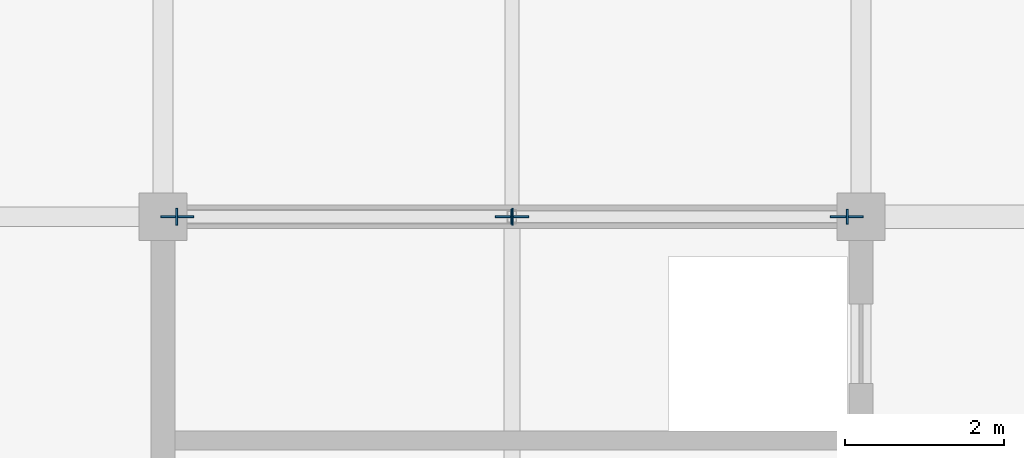
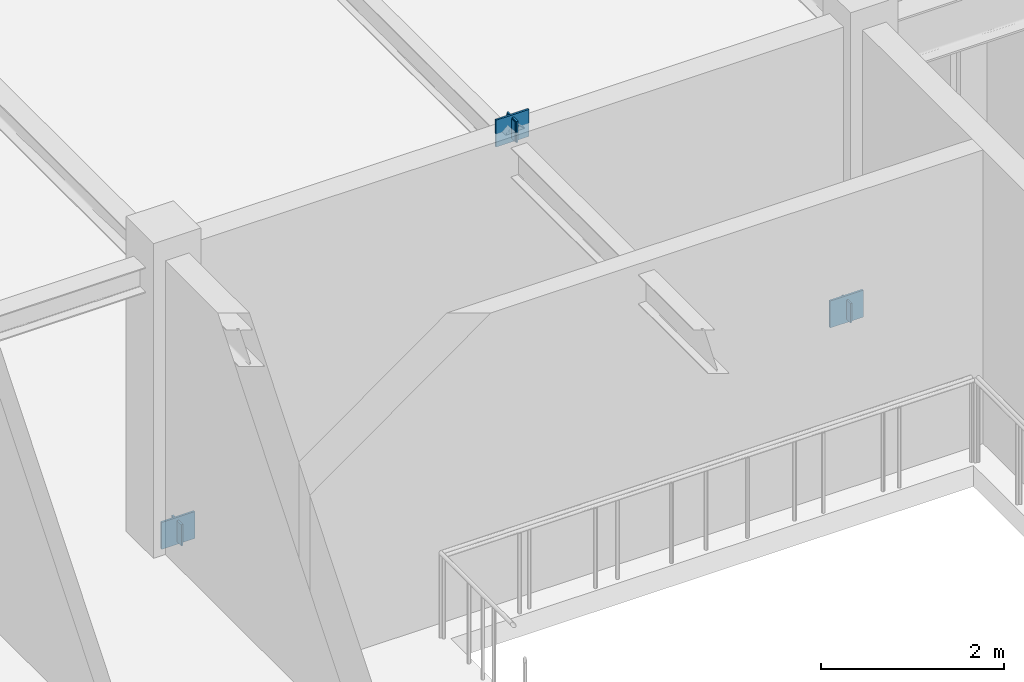
# One storey, part 44 of 64: 7 plates.
"""IFC4 building model written with IfcOpenShell, lengths in metres."""

from ifc_helpers import new_model, si_unit, direction, frame, origin, origin_2d, place, context, subcontext, project, spatial, rectangle, extrude, material, layer, layer_set, type_object, element, save


model = new_model("IFC4")

# Units and contexts
model_context = context("Model", 3, precision=1e-05, world=origin(), true_north=direction((0.0, 1.0)))
body_context = subcontext(model_context, "Body", "Model", "MODEL_VIEW")
ifc_project = project(units=[si_unit("LENGTHUNIT", "METRE"), si_unit("AREAUNIT", "SQUARE_METRE"), si_unit("VOLUMEUNIT", "CUBIC_METRE"), si_unit("PLANEANGLEUNIT", "RADIAN"), si_unit("MASSUNIT", "GRAM", prefix="KILO")], contexts=[model_context])

# Site, building, storey
site_placement = place(None, origin())
site = spatial("IfcSite", under=ifc_project, at=site_placement, CompositionType="ELEMENT")
building_placement = place(site_placement, origin())
building = spatial("IfcBuilding", under=site, at=building_placement, Name="Zhaolan Boulevard Law Courts", CompositionType="ELEMENT")
storey_placement = place(building_placement, frame((0.0, 0.0, 20.39990234375)))
storey = spatial("IfcBuildingStorey", under=building, at=storey_placement, Name="L04", CompositionType="ELEMENT", Elevation=20.39990234375)

# Plates
ifc_material_1 = material(Name="Structural steel Q355B", Category="steel")
ifc_layer_1 = layer(ifc_material_1, 0.02392578125)
ifc_layer_set_1 = layer_set([ifc_layer_1])
plate_type_1 = type_object("IfcPlateType", Name="BRACE GUSSET PLATE 24", PredefinedType="SHEET", material=ifc_layer_set_1)
for number, where, z_axis, x_axis, name in (
    (1, (17.780029296875, 94.0, -0.14990234375), (0.0, 0.0, 1.0), (1.0, 0.0, 0.0), "Brace Gusset Connection Plate GP-L1-L04-NA1"),
    (2, (26.219970703125, 94.0, -0.14990234375), (0.0, 0.0, 1.0), (1.0, 0.0, 0.0), "Brace Gusset Connection Plate GP-L1-L04-NA2"),
    (3, (22.0, 94.0, 3.740234375), (0.0, 0.0, 1.0), (1.0, 0.0, 0.0), "Brace Gusset Connection Plate GP-L1-L04-NAPX"),
):
    element("IfcPlate", number, at=place(storey_placement, frame(where, z_axis=z_axis, x_axis=x_axis)), inside=storey, type_object=plate_type_1, Name=name, PredefinedType="SHEET", context=body_context, shape_type="SweptSolid", body=[
        extrude(rectangle(XDim=0.419921875, YDim=0.02392578125, at=origin_2d()), origin(), (0.0, 0.0, 1.0), 0.360107421875),
    ])
ifc_material_2 = material(Name="Structural steel Q355B", Category="steel")
ifc_layer_2 = layer(ifc_material_2, 0.02001953125)
ifc_layer_set_2 = layer_set([ifc_layer_2])
plate_type_2 = type_object("IfcPlateType", Name="END CAP PLATE 20", PredefinedType="SHEET", material=ifc_layer_set_2)
for number, where, z_axis, x_axis, name in (
    (4, (17.774169921875, 94.0, -0.1181640625), (0.0, 0.0, 1.0), (1.0, 0.0, 0.0), "Hollow Section End-Cap Plate ECP-1375"),
    (5, (22.005859375, 94.0, 3.78271484375), (0.0, 0.0, 1.0), (1.0, 0.0, 0.0), "Hollow Section End-Cap Plate ECP-1376"),
):
    element("IfcPlate", number, at=place(storey_placement, frame(where, z_axis=z_axis, x_axis=x_axis)), inside=storey, type_object=plate_type_2, Name=name, PredefinedType="SHEET", context=body_context, shape_type="SweptSolid", body=[
        extrude(rectangle(XDim=0.02001953125, YDim=0.2099609375, at=origin_2d()), origin(), (0.0, 0.0, 1.0), 0.285888671875),
    ])
for number, where, z_axis, x_axis, name in (
    (6, (26.225830078125, 94.0, -0.1044921875), (0.0, 0.0, 1.0), (-1.0, 0.0, 0.0), "Hollow Section End-Cap Plate ECP-1377"),
    (7, (21.994140625, 94.0, 3.79638671875), (0.0, 0.0, 1.0), (-1.0, 0.0, 0.0), "Hollow Section End-Cap Plate ECP-1378"),
):
    element("IfcPlate", number, at=place(storey_placement, frame(where, z_axis=z_axis, x_axis=x_axis)), inside=storey, type_object=plate_type_2, Name=name, PredefinedType="SHEET", context=body_context, shape_type="SweptSolid", body=[
        extrude(rectangle(XDim=0.02001953125, YDim=0.18994140625, at=origin_2d()), origin(), (0.0, 0.0, 1.0), 0.258056640625),
    ])

save(model, "model.ifc")
